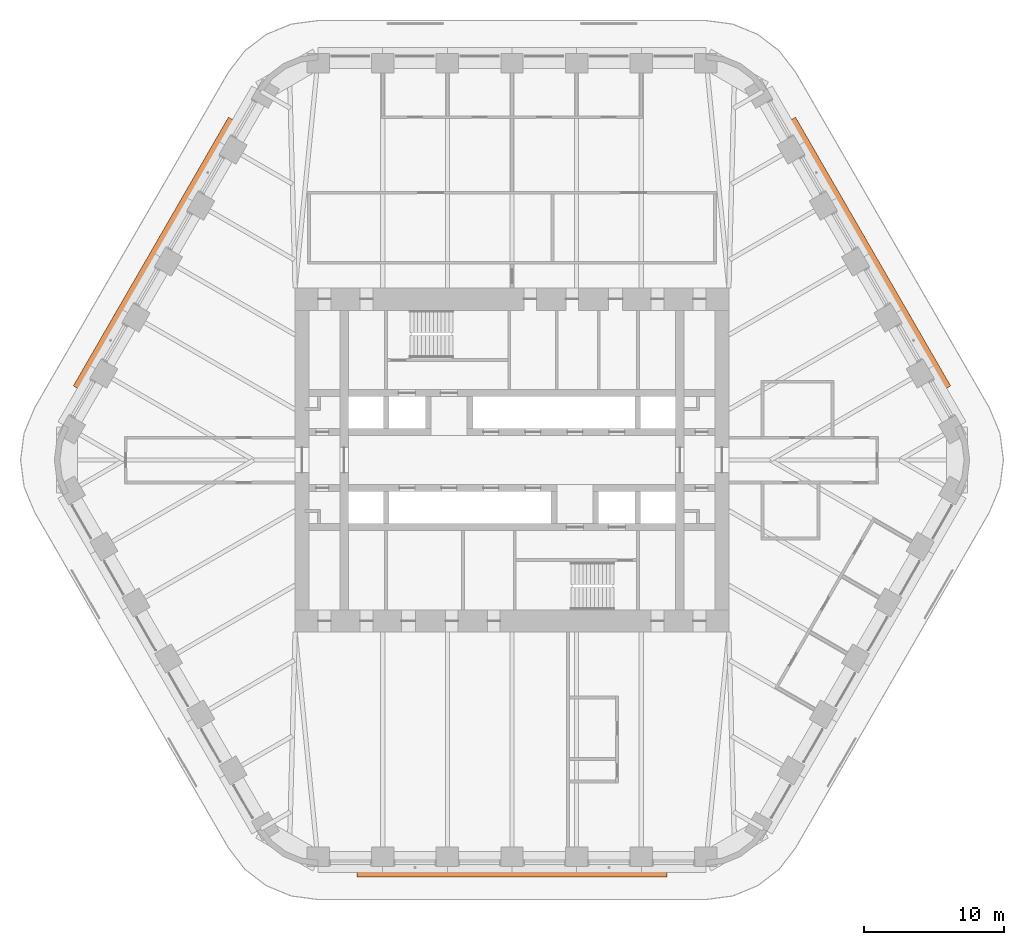
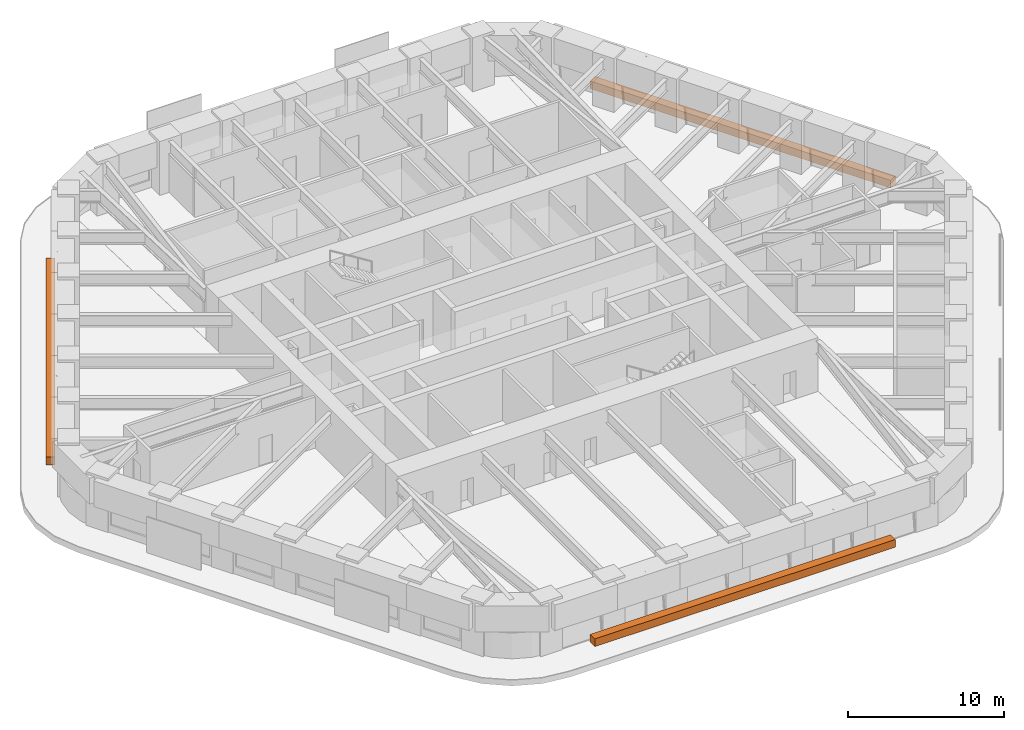
# One storey, part 20 of 20: 3 proxies.
"""IFC4 building model written with IfcOpenShell, lengths in metres."""

from ifc_helpers import new_model, si_unit, direction, frame, origin, origin_2d, place, context, subcontext, project, spatial, rectangle, extrude, material, element, save


model = new_model("IFC4")

# Units and contexts
model_context = context("Model", 3, precision=1e-05, world=origin(), true_north=direction((0.0, 1.0)))
body_context = subcontext(model_context, "Body", "Model", "MODEL_VIEW")
ifc_project = project(units=[si_unit("LENGTHUNIT", "METRE"), si_unit("AREAUNIT", "SQUARE_METRE"), si_unit("VOLUMEUNIT", "CUBIC_METRE"), si_unit("PLANEANGLEUNIT", "RADIAN"), si_unit("MASSUNIT", "GRAM", prefix="KILO")], contexts=[model_context])

# Site, building, storey
site_placement = place(None, origin())
site = spatial("IfcSite", under=ifc_project, at=site_placement, CompositionType="ELEMENT")
building_placement = place(site_placement, origin())
building = spatial("IfcBuilding", under=site, at=building_placement, Name="Tarfa Lantern Tower", CompositionType="ELEMENT")
storey_placement = place(building_placement, frame((0.0, 0.0, 219.699951171875)))
storey = spatial("IfcBuildingStorey", under=building, at=storey_placement, Name="L49", CompositionType="ELEMENT", Elevation=219.699951171875)

# Proxies
ifc_material = material(Name="Planting bed")
for number, where, z_axis, x_axis, name in (
    (1, (25.5478515625, 14.75, 0.0), (0.0, 0.0, 1.0), (-0.5, 0.866025403784, 0.0), "Ledge planter"),
    (2, (-25.5478515625, 14.75, 0.0), (0.0, 0.0, 1.0), (-0.5, -0.866025403784, 0.0), "Ledge planter"),
    (3, (0.0, -29.5, 0.0), (0.0, 0.0, 1.0), (1.0, 0.0, 0.0), "Ledge planter"),
):
    element("IfcBuildingElementProxy", number, at=place(storey_placement, frame(where, z_axis=z_axis, x_axis=x_axis)), inside=storey, material=ifc_material, Name=name, ObjectType="PLANTER", PredefinedType="USERDEFINED", context=body_context, shape_type="SweptSolid", body=[
        extrude(rectangle(XDim=22.170166015625, YDim=0.60009765625, at=origin_2d()), origin(), (0.0, 0.0, 1.0), 0.60009765625),
    ])

save(model, "model.ifc")
